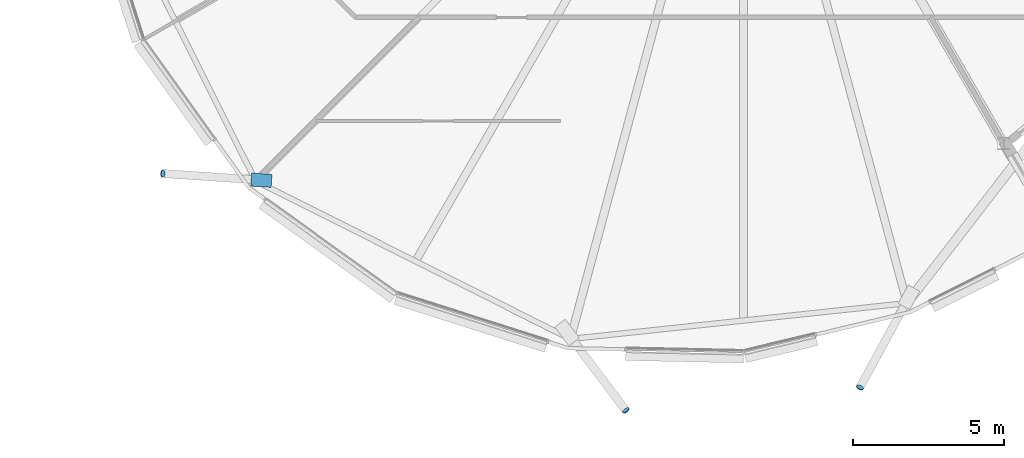
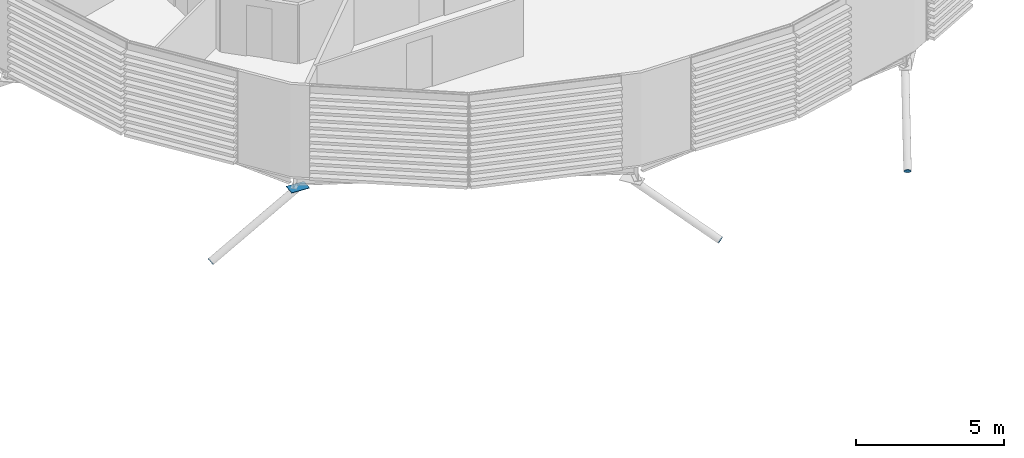
# One storey, part 31 of 37: 4 discrete accessories.
"""IFC4 building model written with IfcOpenShell, lengths in metres."""

import ifcopenshell
import ifcopenshell.guid

model = None  # the IFC model being written
_history = None  # IfcOwnerHistory: only IFC2X3 demands one
_inside = {}  # id of a spatial element -> (the spatial element, [elements in it])
_under = {}  # id of a project, library or spatial element -> (it, [spatial elements below it])
_declared = {}  # id of a project -> (the project, [libraries it declares])
_typed = {}  # id of a type object -> (the type object, [elements of that type])
_made_of = {}  # id of a material, layer set ... -> (it, [elements and type objects made of it])


def new_model(schema):
    """Start an empty IFC model of exactly this schema.

    Asked for "IFC4X3", IfcOpenShell would pick the latest addendum, in which some entities
    have other attributes; the version numbers below select the first issue.
    IFC2X3 requires an IfcOwnerHistory on every rooted entity: one is made here for all.
    """
    global model, _history
    if schema == "IFC4X3":
        model = ifcopenshell.file(schema_version=(4, 3, 0, 0))
    else:
        model = ifcopenshell.file(schema=schema)
    _inside.clear()
    _under.clear()
    _declared.clear()
    _typed.clear()
    _made_of.clear()
    _history = None
    if model.schema == "IFC2X3":
        org = make("IfcOrganization", Name="unknown")
        user = make(
            "IfcPersonAndOrganization",
            ThePerson=make("IfcPerson", FamilyName="unknown"),
            TheOrganization=org,
        )
        app = make(
            "IfcApplication",
            ApplicationDeveloper=org,
            Version="unknown",
            ApplicationFullName="unknown",
            ApplicationIdentifier="unknown",
        )
        _history = make(
            "IfcOwnerHistory",
            OwningUser=user,
            OwningApplication=app,
            ChangeAction="ADDED",
            CreationDate=0,
        )
    return model


def make(cls, **values):
    """One entity of the class cls with the attributes given. An attribute that is None is left unset."""
    return model.create_entity(
        cls, **{name: value for name, value in values.items() if value is not None}
    )


def rooted(cls, **values):
    """An entity with a GlobalId (a new one), such as an element, a storey or a relation."""
    return make(cls, GlobalId=ifcopenshell.guid.new(), OwnerHistory=_history, **values)


def si_unit(unit_type, name, prefix=None):
    """IfcSIUnit, for example si_unit("LENGTHUNIT", "METRE", prefix="MILLI")."""
    return make("IfcSIUnit", UnitType=unit_type, Prefix=prefix, Name=name)


def assignment(units):
    """IfcUnitAssignment: the units of a project."""
    return None if units is None else make("IfcUnitAssignment", Units=units)


def point(xyz):
    """IfcCartesianPoint."""
    return None if xyz is None else make("IfcCartesianPoint", Coordinates=xyz)


def direction(xyz):
    """IfcDirection."""
    return None if xyz is None else make("IfcDirection", DirectionRatios=xyz)


def frame(location, z_axis=None, x_axis=None):
    """IfcAxis2Placement3D, a coordinate frame: its origin and axes. An axis left out is left unset."""
    return make(
        "IfcAxis2Placement3D",
        Location=point(location),
        Axis=direction(z_axis),
        RefDirection=direction(x_axis),
    )


def frame_2d(location, x_axis=None):
    """IfcAxis2Placement2D, a coordinate frame in the plane: its origin and x axis."""
    return make(
        "IfcAxis2Placement2D", Location=point(location), RefDirection=direction(x_axis)
    )


def origin():
    """The frame at (0, 0, 0) with its axes left unset."""
    return frame((0.0, 0.0, 0.0))


def origin_2d():
    """The frame at (0, 0) in the plane with its x axis left unset."""
    return frame_2d((0.0, 0.0))


def place(relative_to, where):
    """IfcLocalPlacement: puts the frame where relative to a parent placement (None: the world)."""
    return make(
        "IfcLocalPlacement", PlacementRelTo=relative_to, RelativePlacement=where
    )


def context(
    kind, dimensions, precision=None, world=None, true_north=None, identifier=None
):
    """IfcGeometricRepresentationContext, for example the 3D "Model" context."""
    return make(
        "IfcGeometricRepresentationContext",
        ContextIdentifier=identifier,
        ContextType=kind,
        CoordinateSpaceDimension=dimensions,
        Precision=precision,
        WorldCoordinateSystem=world,
        TrueNorth=true_north,
    )


def subcontext(parent, identifier, kind, view, scale=None):
    """IfcGeometricRepresentationSubContext, for example "Body" below "Model"."""
    return make(
        "IfcGeometricRepresentationSubContext",
        ContextIdentifier=identifier,
        ContextType=kind,
        ParentContext=parent,
        TargetScale=scale,
        TargetView=view,
    )


def project(units=None, contexts=None):
    """IfcProject with its units and contexts."""
    return rooted(
        "IfcProject",
        Name="project",
        RepresentationContexts=contexts,
        UnitsInContext=assignment(units),
    )


def spatial(cls, under=None, at=None, **own):
    """A site, building, storey or space (cls), placed at a placement, below another one or the project."""
    s = rooted(cls, ObjectPlacement=at, **own)
    if under is not None:
        _under.setdefault(under.id(), (under, []))[1].append(s)
    return s


def polyline(points):
    """IfcPolyline through the points."""
    return make("IfcPolyline", Points=[point(p) for p in points])


def profile(cls, at=None, kind="AREA", **sizes):
    """A parametric profile (cls). Its sizes go by their IFC names, for example OverallWidth=200.0."""
    return make(cls, ProfileType=kind, Position=at, **sizes)


def rectangle(**sizes):
    """IfcRectangleProfileDef."""
    return profile("IfcRectangleProfileDef", **sizes)


def circle(**sizes):
    """IfcCircleProfileDef."""
    return profile("IfcCircleProfileDef", **sizes)


def outline(outer, holes=None, kind="AREA"):
    """IfcArbitraryClosedProfileDef: a profile drawn as a closed curve; with holes, ...WithVoids."""
    if holes is None:
        return make("IfcArbitraryClosedProfileDef", ProfileType=kind, OuterCurve=outer)
    return make(
        "IfcArbitraryProfileDefWithVoids",
        ProfileType=kind,
        OuterCurve=outer,
        InnerCurves=holes,
    )


def extrude(swept, where, along, depth):
    """IfcExtrudedAreaSolid: the profile swept, set in the frame where, extruded along a direction by depth."""
    return make(
        "IfcExtrudedAreaSolid",
        SweptArea=swept,
        Position=where,
        ExtrudedDirection=direction(along),
        Depth=depth,
    )


def shape(context_of_items, identifier, shape_type, items):
    """IfcShapeRepresentation: the items that make up one representation, for example the "Body"."""
    return make(
        "IfcShapeRepresentation",
        ContextOfItems=context_of_items,
        RepresentationIdentifier=identifier,
        RepresentationType=shape_type,
        Items=items,
    )


def material(Name=None, Category=None):
    """IfcMaterial."""
    return make("IfcMaterial", Name=Name, Category=Category)


def material_profile(
    of_material, cross_section, Name=None, Category=None, Priority=None
):
    """IfcMaterialProfile: a cross section and its material."""
    return make(
        "IfcMaterialProfile",
        Name=Name,
        Material=of_material,
        Profile=cross_section,
        Priority=Priority,
        Category=Category,
    )


def profile_set(profiles, Name=None, composite=None):
    """IfcMaterialProfileSet."""
    return make(
        "IfcMaterialProfileSet",
        Name=Name,
        MaterialProfiles=profiles,
        CompositeProfile=composite,
    )


def made_of(thing, what):
    """Note that an element or type object is made of a material, layer set ...; save() writes the relation."""
    if what is not None:
        _made_of.setdefault(what.id(), (what, []))[1].append(thing)
    return thing


def type_object(cls, material=None, **own):
    """A type object (cls), such as IfcWallType, which elements share."""
    return made_of(rooted(cls, **own), material)


def element(
    cls,
    number,
    at=None,
    inside=None,
    cuts=None,
    type_object=None,
    material=None,
    context=None,
    identifier="Body",
    shape_type=None,
    held_by="IfcProductDefinitionShape",
    body=None,
    shapes=None,
    **own,
):
    """One element of the class cls, such as IfcWall. Its Tag is "e" and its number.

    at: its placement. inside: the storey or other place that contains it. cuts: it is an
    opening in that element (IfcRelVoidsElement). A single representation is given by context,
    identifier, shape_type and body (its items); several are given by shapes. held_by: the class
    of the entity that holds the representations. save() writes the other relations.
    """
    e = rooted(cls, Tag="e%d" % number, ObjectPlacement=at, **own)
    if body is not None:
        shapes = [shape(context, identifier, shape_type, body)]
    if shapes is not None:
        e.Representation = make(held_by, Representations=shapes)
    if inside is not None:
        _inside.setdefault(inside.id(), (inside, []))[1].append(e)
    if cuts is not None:
        rooted(
            "IfcRelVoidsElement", RelatingBuildingElement=cuts, RelatedOpeningElement=e
        )
    if type_object is not None:
        _typed.setdefault(type_object.id(), (type_object, []))[1].append(e)
    return made_of(e, material)


def aggregate(whole, parts):
    """IfcRelAggregates: a whole, such as a stair, and the parts it consists of."""
    return rooted("IfcRelAggregates", RelatingObject=whole, RelatedObjects=parts)


def save(model, path):
    """Write the relations noted so far, then the file.

    IfcRelAggregates (storeys below a building ...), IfcRelContainedInSpatialStructure (elements
    in a storey), IfcRelDefinesByType, IfcRelAssociatesMaterial and IfcRelDeclares: one each for
    every whole, place, type object, material and project.
    """
    for whole, parts in _under.values():
        aggregate(whole, parts)
    for where, things in _inside.values():
        rooted(
            "IfcRelContainedInSpatialStructure",
            RelatedElements=things,
            RelatingStructure=where,
        )
    for kind, things in _typed.values():
        rooted("IfcRelDefinesByType", RelatedObjects=things, RelatingType=kind)
    for what, things in _made_of.values():
        rooted("IfcRelAssociatesMaterial", RelatedObjects=things, RelatingMaterial=what)
    for by, libraries in _declared.values():
        rooted("IfcRelDeclares", RelatingContext=by, RelatedDefinitions=libraries)
    model.write(path)


model = new_model("IFC4")

# Units and contexts
model_context = context("Model", 3, precision=1e-05, world=origin(), true_north=direction((0.0, 1.0)))
body_context = subcontext(model_context, "Body", "Model", "MODEL_VIEW")
ifc_project = project(units=[si_unit("LENGTHUNIT", "METRE"), si_unit("AREAUNIT", "SQUARE_METRE"), si_unit("VOLUMEUNIT", "CUBIC_METRE"), si_unit("PLANEANGLEUNIT", "RADIAN"), si_unit("MASSUNIT", "GRAM", prefix="KILO")], contexts=[model_context])

# Site, building, storey
site_placement = place(None, origin())
site = spatial("IfcSite", under=ifc_project, at=site_placement, CompositionType="ELEMENT")
building_placement = place(site_placement, origin())
building = spatial("IfcBuilding", under=site, at=building_placement, Name="Rimbun Link Towers", CompositionType="ELEMENT")
storey_placement = place(building_placement, frame((0.0, 0.0, 60.39990234375)))
storey = spatial("IfcBuildingStorey", under=building, at=storey_placement, Name="L14", CompositionType="ELEMENT", Elevation=60.39990234375)

# Discrete accessories
ifc_material_1 = material(Name="Steel S355J2H", Category="steel")
ifc_material_profile_1 = material_profile(ifc_material_1, circle(Radius=0.1240234375, at=origin_2d()), Name="PL D248")
ifc_profile_set_1 = profile_set([ifc_material_profile_1], Name="Steel S355J2H")
discrete_accessory_type_1 = type_object("IfcDiscreteAccessoryType", Name="Link foot sealing plate D248X20", PredefinedType="BRACKET", material=ifc_profile_set_1)
for number, where, z_axis, x_axis, name in (
    (1, (12.5546875, -15.88818359375, -2.8173828125), (-0.841588585838, 0.060984680133, -0.536665185172), (-0.072274260578, -0.997384795983, 0.0), "Link foot sealing plate T2 L14 12"),
    (2, (27.853759765625, -23.718017578125, -2.54296875), (0.537024813422, -0.720101454361, -0.439383938254), (0.801627475093, 0.59782387973, 0.0), "Link foot sealing plate T2 L14 14"),
    (3, (35.6025390625, -22.955078125, -2.86962890625), (-0.403249456213, -0.757620190461, -0.513226580635), (0.882746759079, -0.469849081445, 0.0), "Link foot sealing plate T2 L14 16"),
):
    element("IfcDiscreteAccessory", number, at=place(storey_placement, frame(where, z_axis=z_axis, x_axis=x_axis)), inside=storey, type_object=discrete_accessory_type_1, Name=name, PredefinedType="BRACKET", context=body_context, shape_type="SweptSolid", body=[
        extrude(circle(Radius=0.1240234375, at=origin_2d()), origin(), (0.0, 0.0, 1.0), 0.02001953125),
    ])
ifc_material_2 = material(Name="Steel S355J2H", Category="steel")
ifc_material_profile_2 = material_profile(ifc_material_2, rectangle(XDim=0.43310546875, YDim=0.43310546875, at=origin_2d()), Name="PL 433x433")
ifc_profile_set_2 = profile_set([ifc_material_profile_2], Name="Steel S355J2H")
discrete_accessory_type_2 = type_object("IfcDiscreteAccessoryType", Name="Link head end plate 433X20", PredefinedType="BRACKET", material=ifc_profile_set_2)
discrete_accessory_placement = place(storey_placement, frame((0.0, 0.0, -0.782470703125)))
element("IfcDiscreteAccessory", 4, at=discrete_accessory_placement, inside=storey, type_object=discrete_accessory_type_2, Name="Link head end plate T2 L14 12", PredefinedType="BRACKET", context=body_context, shape_type="SweptSolid", body=[
    extrude(outline(polyline([(16.15576171875, -15.91650390625), (15.482177734375, -15.87060546875), (15.45263671875, -16.302490234375), (16.12646484375, -16.348388671875), (16.15576171875, -15.91650390625)])), origin(), (0.0, 0.0, 1.0), 0.02001953125),
])

save(model, "model.ifc")
